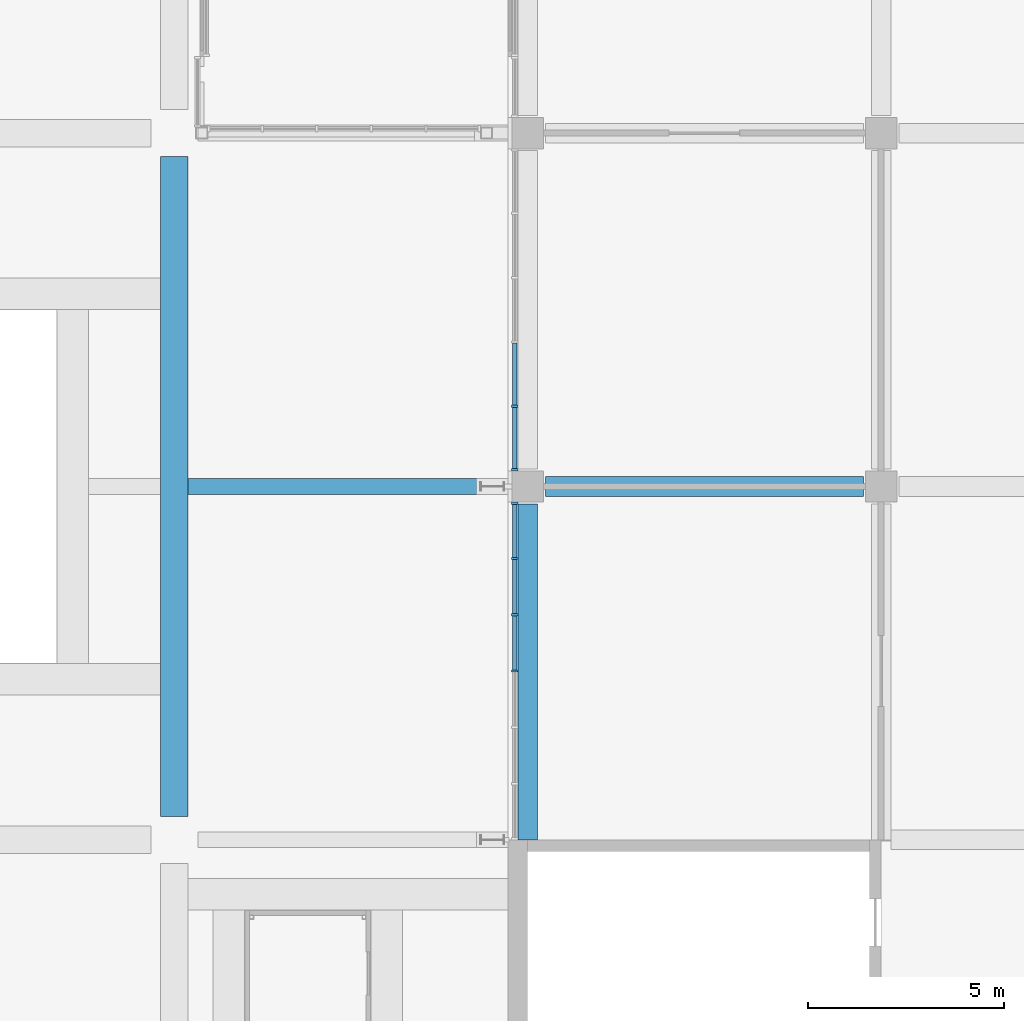
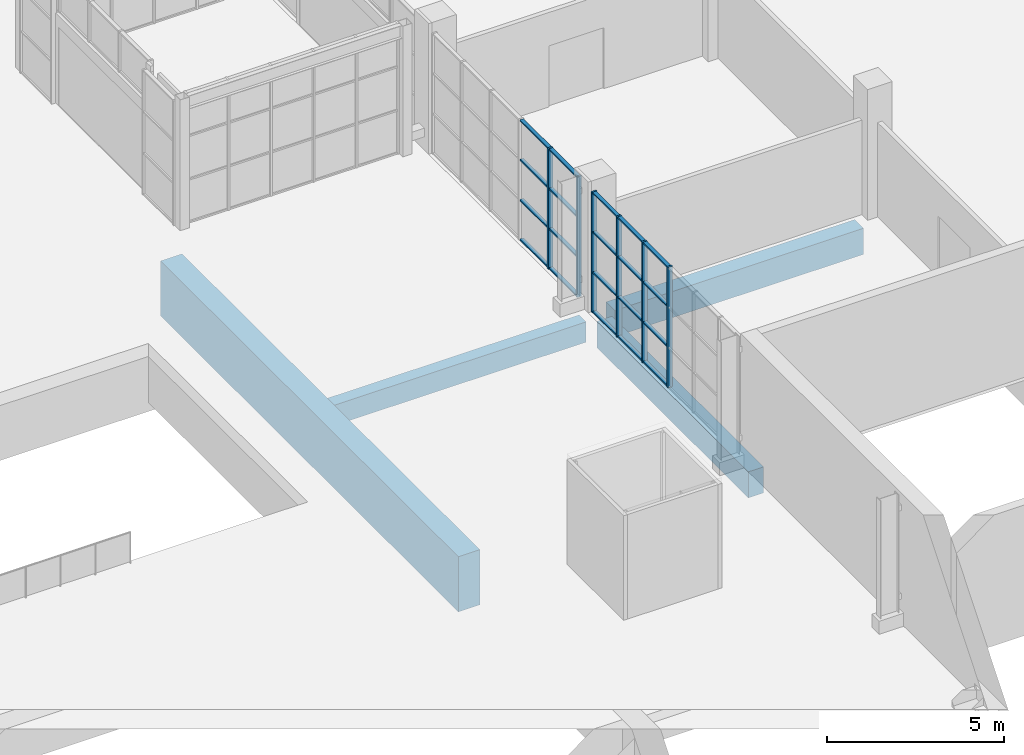
# One storey, part 22 of 168: 26 members, 4 beams, 2 elements without a shape of their own.
"""IFC4 building model written with IfcOpenShell, lengths in metres."""

from ifc_helpers import new_model, si_unit, direction, frame, origin, origin_2d, place, context, subcontext, project, spatial, rectangle, extrude, material, material_profile, profile_set, type_object, element, aggregate, save


model = new_model("IFC4")

# Units and contexts
model_context = context("Model", 3, precision=1e-05, world=origin(), true_north=direction((0.0, 1.0)))
body_context = subcontext(model_context, "Body", "Model", "MODEL_VIEW")
ifc_project = project(units=[si_unit("LENGTHUNIT", "METRE"), si_unit("AREAUNIT", "SQUARE_METRE"), si_unit("VOLUMEUNIT", "CUBIC_METRE"), si_unit("PLANEANGLEUNIT", "RADIAN"), si_unit("MASSUNIT", "GRAM", prefix="KILO")], contexts=[model_context])

# Site, building, storey
site_placement = place(None, origin())
site = spatial("IfcSite", under=ifc_project, at=site_placement, CompositionType="ELEMENT")
building_placement = place(site_placement, origin())
building = spatial("IfcBuilding", under=site, at=building_placement, Name="Silverbay Arena", CompositionType="ELEMENT")
storey_placement = place(building_placement, frame((0.0, 0.0, 7.0)))
storey = spatial("IfcBuildingStorey", under=building, at=storey_placement, Name="L01", CompositionType="ELEMENT", Elevation=7.0)

# Curtain wall, members
ifc_material_1 = material(Name="Aluminium framed curtain wall", Category="aluminium")
curtain_wall_type_1 = type_object("IfcCurtainWallType", Name="Curtain wall 8600 x 4150", PredefinedType="NOTDEFINED", material=ifc_material_1)
curtain_wall_1_placement = place(storey_placement, origin())
curtain_wall_1 = element("IfcCurtainWall", 1, at=curtain_wall_1_placement, inside=storey, type_object=curtain_wall_type_1, Name="West curtain wall L01 bay 3", PredefinedType="NOTDEFINED")
ifc_material_2 = material(Name="Aluminium", Category="aluminium")
ifc_material_profile_1 = material_profile(ifc_material_2, rectangle(XDim=0.159912109375, YDim=0.06005859375, at=origin_2d()), Name="Mullion 60 x 160")
ifc_profile_set_1 = profile_set([ifc_material_profile_1], Name="Aluminium")
member_type_1 = type_object("IfcMemberType", Name="Mullion 60 x 160", PredefinedType="MULLION", material=ifc_profile_set_1)
member_1_placement = place(storey_placement, frame((26.669921875, 44.570068359375, 0.0), z_axis=(0.0, 0.0, 1.0), x_axis=(1.0, 0.0, 0.0)))
member_1 = element("IfcMember", 2, at=member_1_placement, type_object=member_type_1, Name="CW6 mullion 1", PredefinedType="MULLION", context=body_context, shape_type="SweptSolid", body=[
    extrude(rectangle(XDim=0.159912109375, YDim=0.06005859375, at=origin_2d()), origin(), (0.0, 0.0, 1.0), 4.14990234375),
])
member_2_placement = place(storey_placement, frame((26.669921875, 43.166748046875, 0.0), z_axis=(0.0, 0.0, 1.0), x_axis=(1.0, 0.0, 0.0)))
member_2 = element("IfcMember", 3, at=member_2_placement, type_object=member_type_1, Name="CW6 mullion 2", PredefinedType="MULLION", context=body_context, shape_type="SweptSolid", body=[
    extrude(rectangle(XDim=0.159912109375, YDim=0.06005859375, at=origin_2d()), origin(), (0.0, 0.0, 1.0), 4.14990234375),
])
member_3_placement = place(storey_placement, frame((26.669921875, 41.7333984375, 0.0), z_axis=(0.0, 0.0, 1.0), x_axis=(1.0, 0.0, 0.0)))
member_3 = element("IfcMember", 4, at=member_3_placement, type_object=member_type_1, Name="CW6 mullion 3", PredefinedType="MULLION", context=body_context, shape_type="SweptSolid", body=[
    extrude(rectangle(XDim=0.159912109375, YDim=0.06005859375, at=origin_2d()), origin(), (0.0, 0.0, 1.0), 4.14990234375),
])
member_4_placement = place(storey_placement, frame((26.669921875, 40.300048828125, 0.0), z_axis=(0.0, 0.0, 1.0), x_axis=(1.0, 0.0, 0.0)))
member_4 = element("IfcMember", 5, at=member_4_placement, type_object=member_type_1, Name="CW6 mullion 4", PredefinedType="MULLION", context=body_context, shape_type="SweptSolid", body=[
    extrude(rectangle(XDim=0.159912109375, YDim=0.06005859375, at=origin_2d()), origin(), (0.0, 0.0, 1.0), 4.14990234375),
])

ifc_material_3 = material(Name="Aluminium framed curtain wall", Category="aluminium")
curtain_wall_type_2 = type_object("IfcCurtainWallType", Name="Curtain wall 8200 x 4150", PredefinedType="NOTDEFINED", material=ifc_material_3)
curtain_wall_2_placement = place(storey_placement, origin())
curtain_wall_2 = element("IfcCurtainWall", 6, at=curtain_wall_2_placement, inside=storey, type_object=curtain_wall_type_2, Name="West curtain wall L01 bay 4", PredefinedType="NOTDEFINED")
member_5_placement = place(storey_placement, frame((26.669921875, 47.0400390625, 0.0), z_axis=(0.0, 0.0, 1.0), x_axis=(1.0, 0.0, 0.0)))
member_5 = element("IfcMember", 7, at=member_5_placement, type_object=member_type_1, Name="CW7 mullion 5", PredefinedType="MULLION", context=body_context, shape_type="SweptSolid", body=[
    extrude(rectangle(XDim=0.159912109375, YDim=0.06005859375, at=origin_2d()), origin(), (0.0, 0.0, 1.0), 4.14990234375),
])
member_6_placement = place(storey_placement, frame((26.669921875, 45.429931640625, 0.0), z_axis=(0.0, 0.0, 1.0), x_axis=(1.0, 0.0, 0.0)))
member_6 = element("IfcMember", 8, at=member_6_placement, type_object=member_type_1, Name="CW7 mullion 6", PredefinedType="MULLION", context=body_context, shape_type="SweptSolid", body=[
    extrude(rectangle(XDim=0.159912109375, YDim=0.06005859375, at=origin_2d()), origin(), (0.0, 0.0, 1.0), 4.14990234375),
])

# Beams
ifc_material_4 = material(Name="Concrete Grade C45", Category="concrete")
ifc_material_profile_2 = material_profile(ifc_material_4, rectangle(XDim=0.39990234375, YDim=0.699951171875, at=origin_2d()), Name="RC 400x700")
ifc_profile_set_2 = profile_set([ifc_material_profile_2], Name="Concrete Grade C45")
beam_type_1 = type_object("IfcBeamType", Name="RC beam 400x700", PredefinedType="BEAM", material=ifc_profile_set_2)
beam_1_placement = place(storey_placement, frame((18.35009765625, 45.0, -0.800048828125), z_axis=(1.0, 0.0, 0.0), x_axis=(0.0, 1.0, 0.0)))
element("IfcBeam", 9, at=beam_1_placement, inside=storey, type_object=beam_type_1, Name="Deck row beam 074", PredefinedType="BEAM", context=body_context, shape_type="SweptSolid", body=[
    extrude(rectangle(XDim=0.39990234375, YDim=0.699951171875, at=origin_2d()), origin(), (0.0, 0.0, 1.0), 8.199951171875),
])
ifc_material_5 = material(Name="Concrete Grade C45", Category="concrete")
ifc_material_profile_3 = material_profile(ifc_material_5, rectangle(XDim=0.5, YDim=0.89990234375, at=origin_2d()), Name="RC 500x900")
ifc_profile_set_3 = profile_set([ifc_material_profile_3], Name="Concrete Grade C45")
beam_type_2 = type_object("IfcBeamType", Name="RC beam 500x900", PredefinedType="BEAM", material=ifc_profile_set_3)
beam_2_placement = place(storey_placement, frame((27.449951171875, 45.0, -0.800048828125), z_axis=(1.0, 0.0, 0.0), x_axis=(0.0, 1.0, 0.0)))
element("IfcBeam", 10, at=beam_2_placement, inside=storey, type_object=beam_type_2, Name="Floor beam L01 027", PredefinedType="BEAM", context=body_context, shape_type="SweptSolid", body=[
    extrude(rectangle(XDim=0.5, YDim=0.89990234375, at=origin_2d()), origin(), (0.0, 0.0, 1.0), 8.10009765625),
])
beam_3_placement = place(storey_placement, frame((27.0, 36.0, -0.800048828125), z_axis=(0.0, 1.0, 0.0), x_axis=(-1.0, 0.0, 0.0)))
element("IfcBeam", 11, at=beam_3_placement, inside=storey, type_object=beam_type_2, Name="Floor beam L01 181", PredefinedType="BEAM", context=body_context, shape_type="SweptSolid", body=[
    extrude(rectangle(XDim=0.5, YDim=0.89990234375, at=origin_2d()), origin(), (0.0, 0.0, 1.0), 8.550048828125),
])
ifc_material_6 = material(Name="Concrete Grade C45", Category="concrete")
ifc_material_profile_4 = material_profile(ifc_material_6, rectangle(XDim=0.699951171875, YDim=1.89990234375, at=origin_2d()), Name="RC 700x1900")
ifc_profile_set_4 = profile_set([ifc_material_profile_4], Name="Concrete Grade C45")
beam_type_3 = type_object("IfcBeamType", Name="RC girder 700x1900", PredefinedType="BEAM", material=ifc_profile_set_4)
beam_4_placement = place(storey_placement, frame((18.0, 36.60009765625, -1.39990234375), z_axis=(0.0, 1.0, 0.0), x_axis=(-1.0, 0.0, 0.0)))
element("IfcBeam", 12, at=beam_4_placement, inside=storey, type_object=beam_type_3, Name="Deck girder 139", PredefinedType="BEAM", context=body_context, shape_type="SweptSolid", body=[
    extrude(rectangle(XDim=0.699951171875, YDim=1.89990234375, at=origin_2d()), origin(), (0.0, 0.0, 1.0), 16.7998046875),
])

# Member
ifc_material_7 = material(Name="Aluminium", Category="aluminium")
ifc_material_profile_5 = material_profile(ifc_material_7, rectangle(XDim=0.1201171875, YDim=0.050048828125, at=origin_2d()), Name="Transom 50 x 120")
ifc_profile_set_5 = profile_set([ifc_material_profile_5], Name="Aluminium")
member_type_2 = type_object("IfcMemberType", Name="Transom 50 x 120", PredefinedType="USERDEFINED", material=ifc_profile_set_5)
member_7_placement = place(storey_placement, frame((26.669921875, 44.5400390625, 0.02490234375), z_axis=(0.0, -1.0, 0.0), x_axis=(1.0, 0.0, 0.0)))
member_7 = element("IfcMember", 13, at=member_7_placement, type_object=member_type_2, Name="CW6 transom 1.1", ObjectType="TRANSOM", PredefinedType="USERDEFINED", context=body_context, shape_type="SweptSolid", body=[
    extrude(rectangle(XDim=0.1201171875, YDim=0.050048828125, at=origin_2d()), origin(), (0.0, 0.0, 1.0), 1.34326171875),
])

member_8_placement = place(storey_placement, frame((26.669921875, 44.5400390625, 1.38330078125), z_axis=(0.0, -1.0, 0.0), x_axis=(1.0, 0.0, 0.0)))
member_8 = element("IfcMember", 14, at=member_8_placement, type_object=member_type_2, Name="CW6 transom 1.2", ObjectType="TRANSOM", PredefinedType="USERDEFINED", context=body_context, shape_type="SweptSolid", body=[
    extrude(rectangle(XDim=0.1201171875, YDim=0.050048828125, at=origin_2d()), origin(), (0.0, 0.0, 1.0), 1.34326171875),
])

member_9_placement = place(storey_placement, frame((26.669921875, 44.5400390625, 2.7666015625), z_axis=(0.0, -1.0, 0.0), x_axis=(1.0, 0.0, 0.0)))
member_9 = element("IfcMember", 15, at=member_9_placement, type_object=member_type_2, Name="CW6 transom 1.3", ObjectType="TRANSOM", PredefinedType="USERDEFINED", context=body_context, shape_type="SweptSolid", body=[
    extrude(rectangle(XDim=0.1201171875, YDim=0.050048828125, at=origin_2d()), origin(), (0.0, 0.0, 1.0), 1.34326171875),
])

member_10_placement = place(storey_placement, frame((26.669921875, 44.5400390625, 4.125), z_axis=(0.0, -1.0, 0.0), x_axis=(1.0, 0.0, 0.0)))
member_10 = element("IfcMember", 16, at=member_10_placement, type_object=member_type_2, Name="CW6 transom 1.4", ObjectType="TRANSOM", PredefinedType="USERDEFINED", context=body_context, shape_type="SweptSolid", body=[
    extrude(rectangle(XDim=0.1201171875, YDim=0.050048828125, at=origin_2d()), origin(), (0.0, 0.0, 1.0), 1.34326171875),
])

member_11_placement = place(storey_placement, frame((26.669921875, 43.13671875, 0.02490234375), z_axis=(0.0, -1.0, 0.0), x_axis=(1.0, 0.0, 0.0)))
member_11 = element("IfcMember", 17, at=member_11_placement, type_object=member_type_2, Name="CW6 transom 2.1", ObjectType="TRANSOM", PredefinedType="USERDEFINED", context=body_context, shape_type="SweptSolid", body=[
    extrude(rectangle(XDim=0.1201171875, YDim=0.050048828125, at=origin_2d()), origin(), (0.0, 0.0, 1.0), 1.373291015625),
])

member_12_placement = place(storey_placement, frame((26.669921875, 43.13671875, 1.38330078125), z_axis=(0.0, -1.0, 0.0), x_axis=(1.0, 0.0, 0.0)))
member_12 = element("IfcMember", 18, at=member_12_placement, type_object=member_type_2, Name="CW6 transom 2.2", ObjectType="TRANSOM", PredefinedType="USERDEFINED", context=body_context, shape_type="SweptSolid", body=[
    extrude(rectangle(XDim=0.1201171875, YDim=0.050048828125, at=origin_2d()), origin(), (0.0, 0.0, 1.0), 1.373291015625),
])

member_13_placement = place(storey_placement, frame((26.669921875, 43.13671875, 2.7666015625), z_axis=(0.0, -1.0, 0.0), x_axis=(1.0, 0.0, 0.0)))
member_13 = element("IfcMember", 19, at=member_13_placement, type_object=member_type_2, Name="CW6 transom 2.3", ObjectType="TRANSOM", PredefinedType="USERDEFINED", context=body_context, shape_type="SweptSolid", body=[
    extrude(rectangle(XDim=0.1201171875, YDim=0.050048828125, at=origin_2d()), origin(), (0.0, 0.0, 1.0), 1.373291015625),
])

member_14_placement = place(storey_placement, frame((26.669921875, 43.13671875, 4.125), z_axis=(0.0, -1.0, 0.0), x_axis=(1.0, 0.0, 0.0)))
member_14 = element("IfcMember", 20, at=member_14_placement, type_object=member_type_2, Name="CW6 transom 2.4", ObjectType="TRANSOM", PredefinedType="USERDEFINED", context=body_context, shape_type="SweptSolid", body=[
    extrude(rectangle(XDim=0.1201171875, YDim=0.050048828125, at=origin_2d()), origin(), (0.0, 0.0, 1.0), 1.373291015625),
])

member_15_placement = place(storey_placement, frame((26.669921875, 41.703369140625, 0.02490234375), z_axis=(0.0, -1.0, 0.0), x_axis=(1.0, 0.0, 0.0)))
member_15 = element("IfcMember", 21, at=member_15_placement, type_object=member_type_2, Name="CW6 transom 3.1", ObjectType="TRANSOM", PredefinedType="USERDEFINED", context=body_context, shape_type="SweptSolid", body=[
    extrude(rectangle(XDim=0.1201171875, YDim=0.050048828125, at=origin_2d()), origin(), (0.0, 0.0, 1.0), 1.373291015625),
])

member_16_placement = place(storey_placement, frame((26.669921875, 41.703369140625, 1.38330078125), z_axis=(0.0, -1.0, 0.0), x_axis=(1.0, 0.0, 0.0)))
member_16 = element("IfcMember", 22, at=member_16_placement, type_object=member_type_2, Name="CW6 transom 3.2", ObjectType="TRANSOM", PredefinedType="USERDEFINED", context=body_context, shape_type="SweptSolid", body=[
    extrude(rectangle(XDim=0.1201171875, YDim=0.050048828125, at=origin_2d()), origin(), (0.0, 0.0, 1.0), 1.373291015625),
])

member_17_placement = place(storey_placement, frame((26.669921875, 41.703369140625, 2.7666015625), z_axis=(0.0, -1.0, 0.0), x_axis=(1.0, 0.0, 0.0)))
member_17 = element("IfcMember", 23, at=member_17_placement, type_object=member_type_2, Name="CW6 transom 3.3", ObjectType="TRANSOM", PredefinedType="USERDEFINED", context=body_context, shape_type="SweptSolid", body=[
    extrude(rectangle(XDim=0.1201171875, YDim=0.050048828125, at=origin_2d()), origin(), (0.0, 0.0, 1.0), 1.373291015625),
])

member_18_placement = place(storey_placement, frame((26.669921875, 41.703369140625, 4.125), z_axis=(0.0, -1.0, 0.0), x_axis=(1.0, 0.0, 0.0)))
member_18 = element("IfcMember", 24, at=member_18_placement, type_object=member_type_2, Name="CW6 transom 3.4", ObjectType="TRANSOM", PredefinedType="USERDEFINED", context=body_context, shape_type="SweptSolid", body=[
    extrude(rectangle(XDim=0.1201171875, YDim=0.050048828125, at=origin_2d()), origin(), (0.0, 0.0, 1.0), 1.373291015625),
])

aggregate(curtain_wall_1, [member_1, member_2, member_3, member_4, member_7, member_8, member_9, member_10, member_11, member_12, member_13, member_14, member_15, member_16, member_17, member_18])

member_19_placement = place(storey_placement, frame((26.669921875, 48.64990234375, 0.02490234375), z_axis=(0.0, -1.0, 0.0), x_axis=(1.0, 0.0, 0.0)))
member_19 = element("IfcMember", 25, at=member_19_placement, type_object=member_type_2, Name="CW7 transom 4.1", ObjectType="TRANSOM", PredefinedType="USERDEFINED", context=body_context, shape_type="SweptSolid", body=[
    extrude(rectangle(XDim=0.1201171875, YDim=0.050048828125, at=origin_2d()), origin(), (0.0, 0.0, 1.0), 1.579833984375),
])

member_20_placement = place(storey_placement, frame((26.669921875, 48.64990234375, 1.38330078125), z_axis=(0.0, -1.0, 0.0), x_axis=(1.0, 0.0, 0.0)))
member_20 = element("IfcMember", 26, at=member_20_placement, type_object=member_type_2, Name="CW7 transom 4.2", ObjectType="TRANSOM", PredefinedType="USERDEFINED", context=body_context, shape_type="SweptSolid", body=[
    extrude(rectangle(XDim=0.1201171875, YDim=0.050048828125, at=origin_2d()), origin(), (0.0, 0.0, 1.0), 1.579833984375),
])

member_21_placement = place(storey_placement, frame((26.669921875, 48.64990234375, 2.7666015625), z_axis=(0.0, -1.0, 0.0), x_axis=(1.0, 0.0, 0.0)))
member_21 = element("IfcMember", 27, at=member_21_placement, type_object=member_type_2, Name="CW7 transom 4.3", ObjectType="TRANSOM", PredefinedType="USERDEFINED", context=body_context, shape_type="SweptSolid", body=[
    extrude(rectangle(XDim=0.1201171875, YDim=0.050048828125, at=origin_2d()), origin(), (0.0, 0.0, 1.0), 1.579833984375),
])

member_22_placement = place(storey_placement, frame((26.669921875, 48.64990234375, 4.125), z_axis=(0.0, -1.0, 0.0), x_axis=(1.0, 0.0, 0.0)))
member_22 = element("IfcMember", 28, at=member_22_placement, type_object=member_type_2, Name="CW7 transom 4.4", ObjectType="TRANSOM", PredefinedType="USERDEFINED", context=body_context, shape_type="SweptSolid", body=[
    extrude(rectangle(XDim=0.1201171875, YDim=0.050048828125, at=origin_2d()), origin(), (0.0, 0.0, 1.0), 1.579833984375),
])

member_23_placement = place(storey_placement, frame((26.669921875, 47.010009765625, 0.02490234375), z_axis=(0.0, -1.0, 0.0), x_axis=(1.0, 0.0, 0.0)))
member_23 = element("IfcMember", 29, at=member_23_placement, type_object=member_type_2, Name="CW7 transom 5.1", ObjectType="TRANSOM", PredefinedType="USERDEFINED", context=body_context, shape_type="SweptSolid", body=[
    extrude(rectangle(XDim=0.1201171875, YDim=0.050048828125, at=origin_2d()), origin(), (0.0, 0.0, 1.0), 1.550048828125),
])

member_24_placement = place(storey_placement, frame((26.669921875, 47.010009765625, 1.38330078125), z_axis=(0.0, -1.0, 0.0), x_axis=(1.0, 0.0, 0.0)))
member_24 = element("IfcMember", 30, at=member_24_placement, type_object=member_type_2, Name="CW7 transom 5.2", ObjectType="TRANSOM", PredefinedType="USERDEFINED", context=body_context, shape_type="SweptSolid", body=[
    extrude(rectangle(XDim=0.1201171875, YDim=0.050048828125, at=origin_2d()), origin(), (0.0, 0.0, 1.0), 1.550048828125),
])

member_25_placement = place(storey_placement, frame((26.669921875, 47.010009765625, 2.7666015625), z_axis=(0.0, -1.0, 0.0), x_axis=(1.0, 0.0, 0.0)))
member_25 = element("IfcMember", 31, at=member_25_placement, type_object=member_type_2, Name="CW7 transom 5.3", ObjectType="TRANSOM", PredefinedType="USERDEFINED", context=body_context, shape_type="SweptSolid", body=[
    extrude(rectangle(XDim=0.1201171875, YDim=0.050048828125, at=origin_2d()), origin(), (0.0, 0.0, 1.0), 1.550048828125),
])

member_26_placement = place(storey_placement, frame((26.669921875, 47.010009765625, 4.125), z_axis=(0.0, -1.0, 0.0), x_axis=(1.0, 0.0, 0.0)))
member_26 = element("IfcMember", 32, at=member_26_placement, type_object=member_type_2, Name="CW7 transom 5.4", ObjectType="TRANSOM", PredefinedType="USERDEFINED", context=body_context, shape_type="SweptSolid", body=[
    extrude(rectangle(XDim=0.1201171875, YDim=0.050048828125, at=origin_2d()), origin(), (0.0, 0.0, 1.0), 1.550048828125),
])

aggregate(curtain_wall_2, [member_5, member_6, member_19, member_20, member_21, member_22, member_23, member_24, member_25, member_26])

save(model, "model.ifc")
